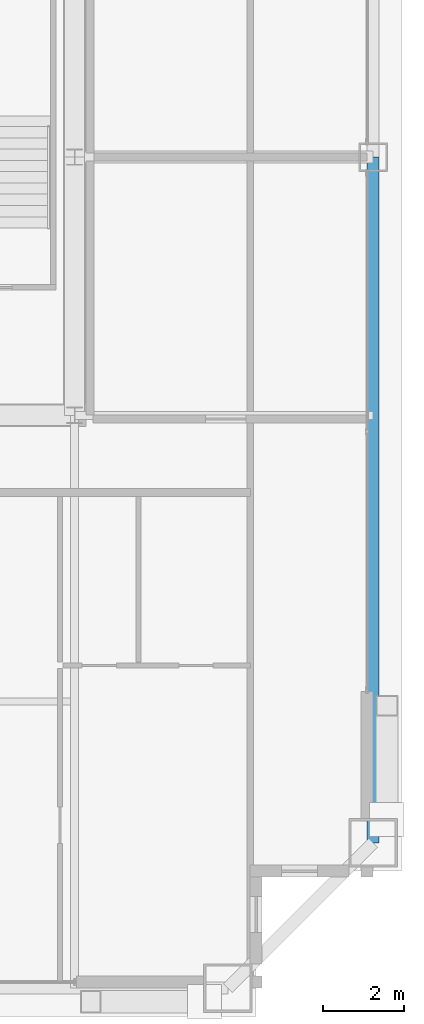
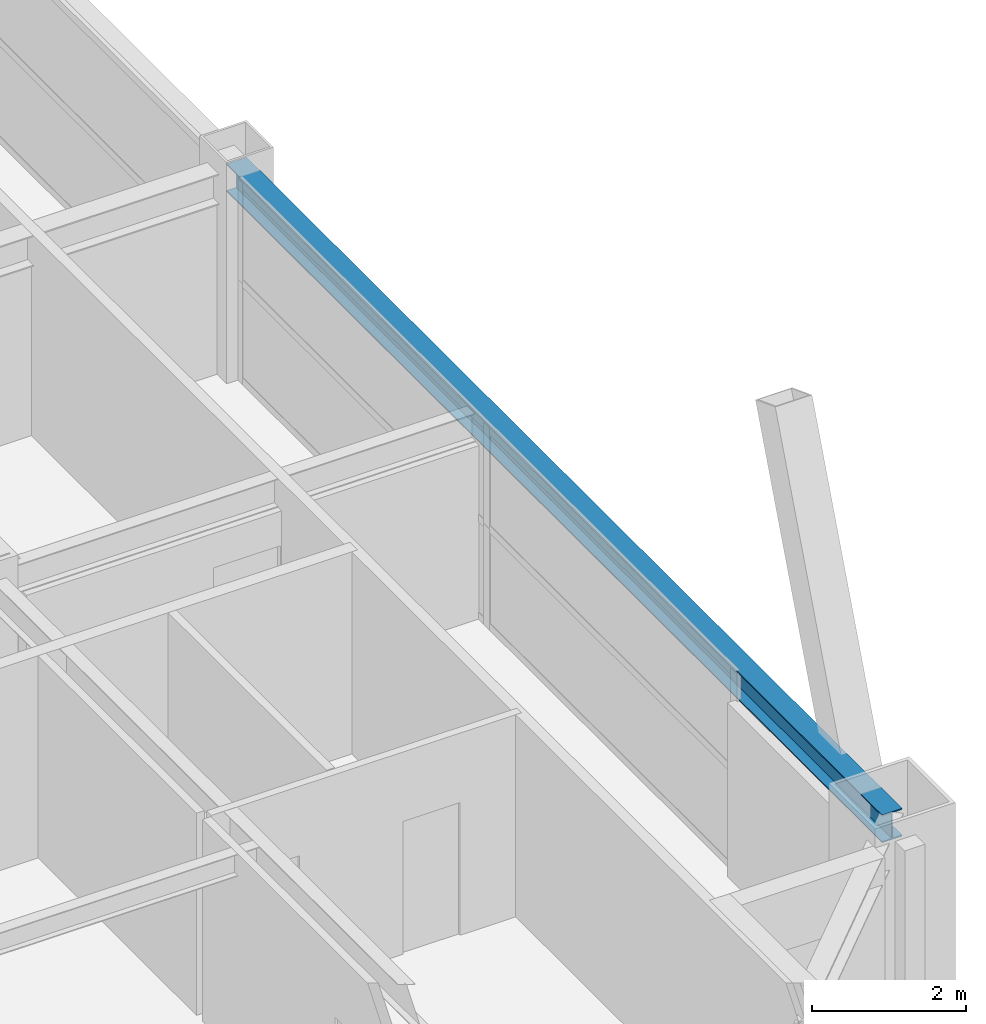
# One storey, part 17 of 36: 1 beam.
"""IFC4 building model written with IfcOpenShell, lengths in metres."""

import ifcopenshell
import ifcopenshell.guid

model = None  # the IFC model being written
_history = None  # IfcOwnerHistory: only IFC2X3 demands one
_inside = {}  # id of a spatial element -> (the spatial element, [elements in it])
_under = {}  # id of a project, library or spatial element -> (it, [spatial elements below it])
_declared = {}  # id of a project -> (the project, [libraries it declares])
_typed = {}  # id of a type object -> (the type object, [elements of that type])
_made_of = {}  # id of a material, layer set ... -> (it, [elements and type objects made of it])


def new_model(schema):
    """Start an empty IFC model of exactly this schema.

    Asked for "IFC4X3", IfcOpenShell would pick the latest addendum, in which some entities
    have other attributes; the version numbers below select the first issue.
    IFC2X3 requires an IfcOwnerHistory on every rooted entity: one is made here for all.
    """
    global model, _history
    if schema == "IFC4X3":
        model = ifcopenshell.file(schema_version=(4, 3, 0, 0))
    else:
        model = ifcopenshell.file(schema=schema)
    _inside.clear()
    _under.clear()
    _declared.clear()
    _typed.clear()
    _made_of.clear()
    _history = None
    if model.schema == "IFC2X3":
        org = make("IfcOrganization", Name="unknown")
        user = make(
            "IfcPersonAndOrganization",
            ThePerson=make("IfcPerson", FamilyName="unknown"),
            TheOrganization=org,
        )
        app = make(
            "IfcApplication",
            ApplicationDeveloper=org,
            Version="unknown",
            ApplicationFullName="unknown",
            ApplicationIdentifier="unknown",
        )
        _history = make(
            "IfcOwnerHistory",
            OwningUser=user,
            OwningApplication=app,
            ChangeAction="ADDED",
            CreationDate=0,
        )
    return model


def make(cls, **values):
    """One entity of the class cls with the attributes given. An attribute that is None is left unset."""
    return model.create_entity(
        cls, **{name: value for name, value in values.items() if value is not None}
    )


def rooted(cls, **values):
    """An entity with a GlobalId (a new one), such as an element, a storey or a relation."""
    return make(cls, GlobalId=ifcopenshell.guid.new(), OwnerHistory=_history, **values)


def si_unit(unit_type, name, prefix=None):
    """IfcSIUnit, for example si_unit("LENGTHUNIT", "METRE", prefix="MILLI")."""
    return make("IfcSIUnit", UnitType=unit_type, Prefix=prefix, Name=name)


def assignment(units):
    """IfcUnitAssignment: the units of a project."""
    return None if units is None else make("IfcUnitAssignment", Units=units)


def point(xyz):
    """IfcCartesianPoint."""
    return None if xyz is None else make("IfcCartesianPoint", Coordinates=xyz)


def direction(xyz):
    """IfcDirection."""
    return None if xyz is None else make("IfcDirection", DirectionRatios=xyz)


def frame(location, z_axis=None, x_axis=None):
    """IfcAxis2Placement3D, a coordinate frame: its origin and axes. An axis left out is left unset."""
    return make(
        "IfcAxis2Placement3D",
        Location=point(location),
        Axis=direction(z_axis),
        RefDirection=direction(x_axis),
    )


def frame_2d(location, x_axis=None):
    """IfcAxis2Placement2D, a coordinate frame in the plane: its origin and x axis."""
    return make(
        "IfcAxis2Placement2D", Location=point(location), RefDirection=direction(x_axis)
    )


def origin():
    """The frame at (0, 0, 0) with its axes left unset."""
    return frame((0.0, 0.0, 0.0))


def origin_2d():
    """The frame at (0, 0) in the plane with its x axis left unset."""
    return frame_2d((0.0, 0.0))


def place(relative_to, where):
    """IfcLocalPlacement: puts the frame where relative to a parent placement (None: the world)."""
    return make(
        "IfcLocalPlacement", PlacementRelTo=relative_to, RelativePlacement=where
    )


def context(
    kind, dimensions, precision=None, world=None, true_north=None, identifier=None
):
    """IfcGeometricRepresentationContext, for example the 3D "Model" context."""
    return make(
        "IfcGeometricRepresentationContext",
        ContextIdentifier=identifier,
        ContextType=kind,
        CoordinateSpaceDimension=dimensions,
        Precision=precision,
        WorldCoordinateSystem=world,
        TrueNorth=true_north,
    )


def subcontext(parent, identifier, kind, view, scale=None):
    """IfcGeometricRepresentationSubContext, for example "Body" below "Model"."""
    return make(
        "IfcGeometricRepresentationSubContext",
        ContextIdentifier=identifier,
        ContextType=kind,
        ParentContext=parent,
        TargetScale=scale,
        TargetView=view,
    )


def project(units=None, contexts=None):
    """IfcProject with its units and contexts."""
    return rooted(
        "IfcProject",
        Name="project",
        RepresentationContexts=contexts,
        UnitsInContext=assignment(units),
    )


def spatial(cls, under=None, at=None, **own):
    """A site, building, storey or space (cls), placed at a placement, below another one or the project."""
    s = rooted(cls, ObjectPlacement=at, **own)
    if under is not None:
        _under.setdefault(under.id(), (under, []))[1].append(s)
    return s


def profile(cls, at=None, kind="AREA", **sizes):
    """A parametric profile (cls). Its sizes go by their IFC names, for example OverallWidth=200.0."""
    return make(cls, ProfileType=kind, Position=at, **sizes)


def i_section(**sizes):
    """IfcIShapeProfileDef."""
    return profile("IfcIShapeProfileDef", **sizes)


def extrude(swept, where, along, depth):
    """IfcExtrudedAreaSolid: the profile swept, set in the frame where, extruded along a direction by depth."""
    return make(
        "IfcExtrudedAreaSolid",
        SweptArea=swept,
        Position=where,
        ExtrudedDirection=direction(along),
        Depth=depth,
    )


def shape(context_of_items, identifier, shape_type, items):
    """IfcShapeRepresentation: the items that make up one representation, for example the "Body"."""
    return make(
        "IfcShapeRepresentation",
        ContextOfItems=context_of_items,
        RepresentationIdentifier=identifier,
        RepresentationType=shape_type,
        Items=items,
    )


def source(mapping_origin, context_of_items, identifier, shape_type, items):
    """IfcRepresentationMap: a shape defined once, which mapped items show again and again."""
    return make(
        "IfcRepresentationMap",
        MappingOrigin=mapping_origin,
        MappedRepresentation=shape(context_of_items, identifier, shape_type, items),
    )


def transform(
    local_origin,
    x_axis=None,
    y_axis=None,
    z_axis=None,
    scale=None,
    scale2=None,
    scale3=None,
    uniform=True,
):
    """IfcCartesianTransformationOperator3D, or its non-uniform kind. x_axis, y_axis, z_axis: its Axis1, 2, 3."""
    if uniform:
        return make(
            "IfcCartesianTransformationOperator3D",
            Axis1=direction(x_axis),
            Axis2=direction(y_axis),
            LocalOrigin=point(local_origin),
            Scale=scale,
            Axis3=direction(z_axis),
        )
    return make(
        "IfcCartesianTransformationOperator3DnonUniform",
        Axis1=direction(x_axis),
        Axis2=direction(y_axis),
        LocalOrigin=point(local_origin),
        Scale=scale,
        Axis3=direction(z_axis),
        Scale2=scale2,
        Scale3=scale3,
    )


def mapped(mapping_source, mapping_target):
    """IfcMappedItem: shows the shape of a source again, moved by a transform."""
    return make(
        "IfcMappedItem", MappingSource=mapping_source, MappingTarget=mapping_target
    )


def material(Name=None, Category=None):
    """IfcMaterial."""
    return make("IfcMaterial", Name=Name, Category=Category)


def material_profile(
    of_material, cross_section, Name=None, Category=None, Priority=None
):
    """IfcMaterialProfile: a cross section and its material."""
    return make(
        "IfcMaterialProfile",
        Name=Name,
        Material=of_material,
        Profile=cross_section,
        Priority=Priority,
        Category=Category,
    )


def profile_set(profiles, Name=None, composite=None):
    """IfcMaterialProfileSet."""
    return make(
        "IfcMaterialProfileSet",
        Name=Name,
        MaterialProfiles=profiles,
        CompositeProfile=composite,
    )


def made_of(thing, what):
    """Note that an element or type object is made of a material, layer set ...; save() writes the relation."""
    if what is not None:
        _made_of.setdefault(what.id(), (what, []))[1].append(thing)
    return thing


def type_object(cls, material=None, **own):
    """A type object (cls), such as IfcWallType, which elements share."""
    return made_of(rooted(cls, **own), material)


def element(
    cls,
    number,
    at=None,
    inside=None,
    cuts=None,
    type_object=None,
    material=None,
    context=None,
    identifier="Body",
    shape_type=None,
    held_by="IfcProductDefinitionShape",
    body=None,
    shapes=None,
    **own,
):
    """One element of the class cls, such as IfcWall. Its Tag is "e" and its number.

    at: its placement. inside: the storey or other place that contains it. cuts: it is an
    opening in that element (IfcRelVoidsElement). A single representation is given by context,
    identifier, shape_type and body (its items); several are given by shapes. held_by: the class
    of the entity that holds the representations. save() writes the other relations.
    """
    e = rooted(cls, Tag="e%d" % number, ObjectPlacement=at, **own)
    if body is not None:
        shapes = [shape(context, identifier, shape_type, body)]
    if shapes is not None:
        e.Representation = make(held_by, Representations=shapes)
    if inside is not None:
        _inside.setdefault(inside.id(), (inside, []))[1].append(e)
    if cuts is not None:
        rooted(
            "IfcRelVoidsElement", RelatingBuildingElement=cuts, RelatedOpeningElement=e
        )
    if type_object is not None:
        _typed.setdefault(type_object.id(), (type_object, []))[1].append(e)
    return made_of(e, material)


def aggregate(whole, parts):
    """IfcRelAggregates: a whole, such as a stair, and the parts it consists of."""
    return rooted("IfcRelAggregates", RelatingObject=whole, RelatedObjects=parts)


def save(model, path):
    """Write the relations noted so far, then the file.

    IfcRelAggregates (storeys below a building ...), IfcRelContainedInSpatialStructure (elements
    in a storey), IfcRelDefinesByType, IfcRelAssociatesMaterial and IfcRelDeclares: one each for
    every whole, place, type object, material and project.
    """
    for whole, parts in _under.values():
        aggregate(whole, parts)
    for where, things in _inside.values():
        rooted(
            "IfcRelContainedInSpatialStructure",
            RelatedElements=things,
            RelatingStructure=where,
        )
    for kind, things in _typed.values():
        rooted("IfcRelDefinesByType", RelatedObjects=things, RelatingType=kind)
    for what, things in _made_of.values():
        rooted("IfcRelAssociatesMaterial", RelatedObjects=things, RelatingMaterial=what)
    for by, libraries in _declared.values():
        rooted("IfcRelDeclares", RelatingContext=by, RelatedDefinitions=libraries)
    model.write(path)


model = new_model("IFC4")

# Units and contexts
model_context = context("Model", 3, precision=1e-05, world=origin(), true_north=direction((0.0, 1.0)))
body_context = subcontext(model_context, "Body", "Model", "MODEL_VIEW")
ifc_project = project(units=[si_unit("LENGTHUNIT", "METRE"), si_unit("AREAUNIT", "SQUARE_METRE"), si_unit("VOLUMEUNIT", "CUBIC_METRE"), si_unit("PLANEANGLEUNIT", "RADIAN"), si_unit("MASSUNIT", "GRAM", prefix="KILO"), si_unit("THERMODYNAMICTEMPERATUREUNIT", "KELVIN"), si_unit("POWERUNIT", "WATT")], contexts=[model_context])

# Site, building, storey
site_placement = place(None, origin())
site = spatial("IfcSite", under=ifc_project, at=site_placement, CompositionType="ELEMENT")
building_placement = place(site_placement, origin())
building = spatial("IfcBuilding", under=site, at=building_placement, Name="Yuzanri Waterfront Tower", CompositionType="ELEMENT")
storey_placement = place(building_placement, frame((0.0, 0.0, 255.60009765625)))
storey = spatial("IfcBuildingStorey", under=building, at=storey_placement, Name="L68", CompositionType="ELEMENT", Elevation=255.60009765625)

# Beam
ifc_material = material(Name="Steel Q355B", Category="steel")
ifc_material_profile = material_profile(ifc_material, i_section(OverallWidth=0.300048828125, OverallDepth=0.43994140625, WebThickness=0.010986328125, FlangeThickness=0.01806640625, at=origin_2d()), Name="HM 440x300x11x18")
ifc_profile_set = profile_set([ifc_material_profile], Name="Steel Q355B")
beam_type = type_object("IfcBeamType", Name="Perimeter Spandrel Q355B HM 440x300", PredefinedType="SPANDREL", material=ifc_profile_set)
shared_shape = source(origin(), body_context, "Body", "SweptSolid", [
    extrude(i_section(OverallWidth=0.300048828125, OverallDepth=0.43994140625, WebThickness=0.010986328125, FlangeThickness=0.01806640625, at=origin_2d()), origin(), (0.0, 0.0, 1.0), 17.0),
])
beam_placement = place(storey_placement, frame((57.60009765625, 8.800048828125, 2.97998046875), z_axis=(0.0, 1.0, 0.0), x_axis=(-1.0, 0.0, 0.0)))
element("IfcBeam", 1, at=beam_placement, inside=storey, type_object=beam_type, Name="L68 Perimeter Spandrel E1-E2", PredefinedType="SPANDREL", context=body_context, shape_type="MappedRepresentation", body=[
    mapped(shared_shape, transform((0.0, 0.0, 0.0), scale=1.0)),
])

save(model, "model.ifc")
